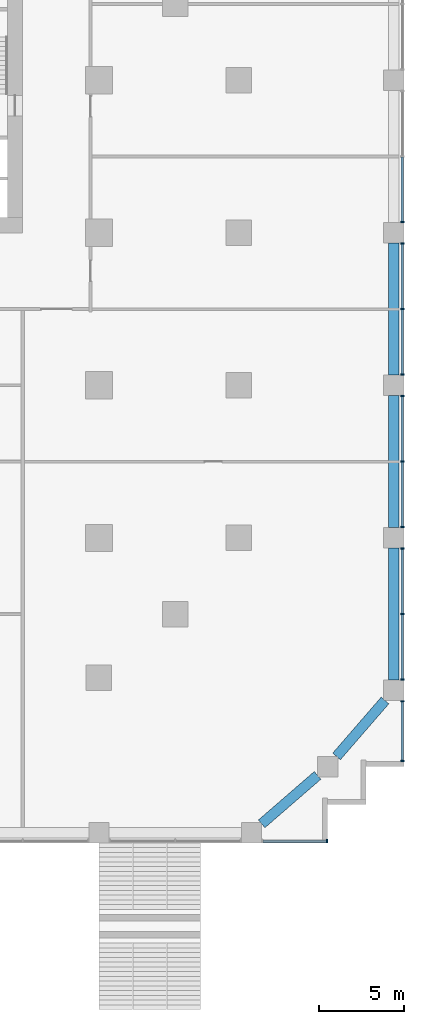
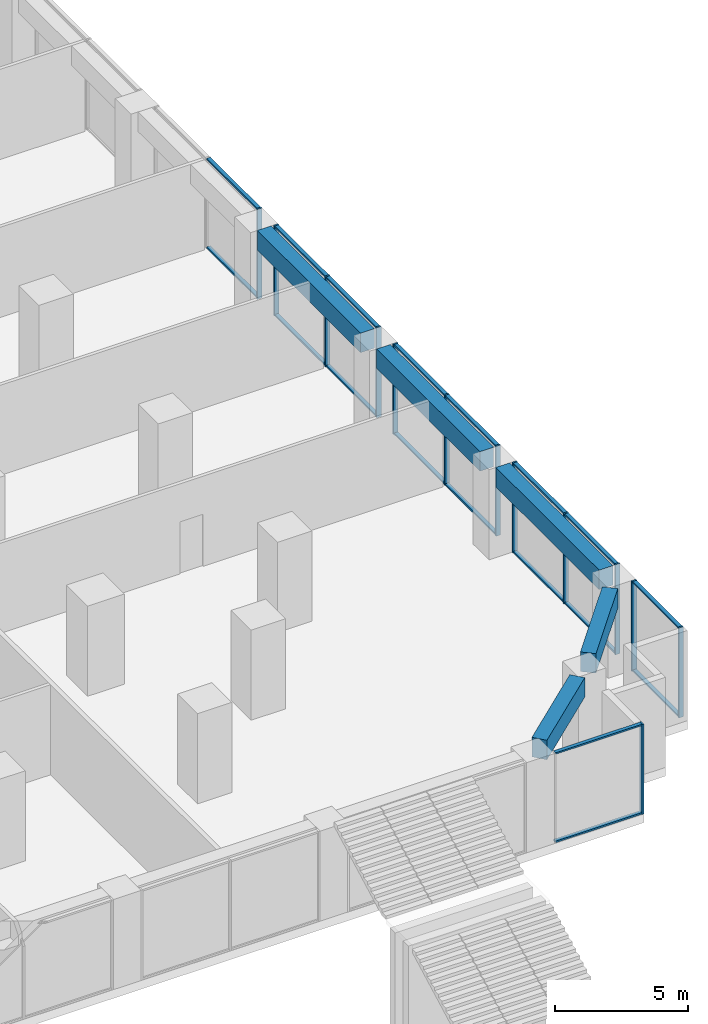
# One storey, part 6 of 18: 31 members, 5 beams, 6 elements without a shape of their own.
"""IFC4 building model written with IfcOpenShell, lengths in metres."""

from ifc_helpers import new_model, si_unit, direction, frame, origin, origin_2d, place, context, subcontext, project, spatial, rectangle, extrude, material, material_profile, profile_set, type_object, element, aggregate, save


model = new_model("IFC4")

# Units and contexts
model_context = context("Model", 3, precision=1e-05, world=origin(), true_north=direction((0.0, 1.0)))
body_context = subcontext(model_context, "Body", "Model", "MODEL_VIEW")
ifc_project = project(units=[si_unit("LENGTHUNIT", "METRE"), si_unit("AREAUNIT", "SQUARE_METRE"), si_unit("VOLUMEUNIT", "CUBIC_METRE"), si_unit("PLANEANGLEUNIT", "RADIAN"), si_unit("MASSUNIT", "GRAM", prefix="KILO")], contexts=[model_context])

# Site, building, storey
site_placement = place(None, origin())
site = spatial("IfcSite", under=ifc_project, at=site_placement, CompositionType="ELEMENT")
building_placement = place(site_placement, origin())
building = spatial("IfcBuilding", under=site, at=building_placement, Name="Orbiselva Terraces", CompositionType="ELEMENT")
storey_placement = place(building_placement, frame((0.0, 0.0, 6.0)))
storey = spatial("IfcBuildingStorey", under=building, at=storey_placement, Name="L01", CompositionType="ELEMENT", Elevation=6.0)

# Curtain wall, member
ifc_material_1 = material(Name="Clear low-e glazing in aluminium frame", Category="aluminium")
curtain_wall_type = type_object("IfcCurtainWallType", Name="ENV-CW-LOBBY", PredefinedType="NOTDEFINED", material=ifc_material_1)
curtain_wall_1_placement = place(storey_placement, origin())
curtain_wall_1 = element("IfcCurtainWall", 1, at=curtain_wall_1_placement, inside=storey, type_object=curtain_wall_type, Name="Curtain wall L01 S", PredefinedType="NOTDEFINED")
ifc_material_2 = material(Name="Anodised aluminium", Category="aluminium")
ifc_material_profile_1 = material_profile(ifc_material_2, rectangle(XDim=0.2, YDim=0.075, at=origin_2d()), Name="AL 75x200")
ifc_profile_set_1 = profile_set([ifc_material_profile_1], Name="Anodised aluminium")
member_type_1 = type_object("IfcMemberType", Name="ENV-CW-LOBBY-MULLION-75x200", PredefinedType="MULLION", material=ifc_profile_set_1)
member_1_placement = place(storey_placement, frame((31.4625, -31.4, 0.0), z_axis=(0.0, 0.0, 1.0), x_axis=(0.0, 1.0, 0.0)))
member_1 = element("IfcMember", 2, at=member_1_placement, type_object=member_type_1, Name="CW1 mullion 2", PredefinedType="MULLION", context=body_context, shape_type="SweptSolid", body=[
    extrude(rectangle(XDim=0.2, YDim=0.075, at=origin_2d()), origin(), (0.0, 0.0, 1.0), 4.15),
])

# Curtain wall, members
curtain_wall_2_placement = place(storey_placement, origin())
curtain_wall_2 = element("IfcCurtainWall", 3, at=curtain_wall_2_placement, inside=storey, type_object=curtain_wall_type, Name="Curtain wall L01 E", PredefinedType="NOTDEFINED")
member_2_placement = place(storey_placement, frame((35.9, -26.6625, 0.0), z_axis=(0.0, 0.0, 1.0), x_axis=(-1.0, 0.0, 0.0)))
member_2 = element("IfcMember", 4, at=member_2_placement, type_object=member_type_1, Name="CW1 mullion 1", PredefinedType="MULLION", context=body_context, shape_type="SweptSolid", body=[
    extrude(rectangle(XDim=0.2, YDim=0.075, at=origin_2d()), origin(), (0.0, 0.0, 1.0), 4.15),
])
member_3_placement = place(storey_placement, frame((35.9, -23.1375, 0.0), z_axis=(0.0, 0.0, 1.0), x_axis=(-1.0, 0.0, 0.0)))
member_3 = element("IfcMember", 5, at=member_3_placement, type_object=member_type_1, Name="CW1 mullion 2", PredefinedType="MULLION", context=body_context, shape_type="SweptSolid", body=[
    extrude(rectangle(XDim=0.2, YDim=0.075, at=origin_2d()), origin(), (0.0, 0.0, 1.0), 4.15),
])

curtain_wall_3_placement = place(storey_placement, origin())
curtain_wall_3 = element("IfcCurtainWall", 6, at=curtain_wall_3_placement, inside=storey, type_object=curtain_wall_type, Name="Curtain wall L01 E", PredefinedType="NOTDEFINED")
member_4_placement = place(storey_placement, frame((35.9, -21.8625, 0.0), z_axis=(0.0, 0.0, 1.0), x_axis=(-1.0, 0.0, 0.0)))
member_4 = element("IfcMember", 7, at=member_4_placement, type_object=member_type_1, Name="CW1 mullion 1", PredefinedType="MULLION", context=body_context, shape_type="SweptSolid", body=[
    extrude(rectangle(XDim=0.2, YDim=0.075, at=origin_2d()), origin(), (0.0, 0.0, 1.0), 4.15),
])
member_5_placement = place(storey_placement, frame((35.9, -18.0, 0.0), z_axis=(0.0, 0.0, 1.0), x_axis=(-1.0, 0.0, 0.0)))
member_5 = element("IfcMember", 8, at=member_5_placement, type_object=member_type_1, Name="CW1 mullion 2", PredefinedType="MULLION", context=body_context, shape_type="SweptSolid", body=[
    extrude(rectangle(XDim=0.2, YDim=0.075, at=origin_2d()), origin(), (0.0, 0.0, 1.0), 4.15),
])
member_6_placement = place(storey_placement, frame((35.9, -14.1375, 0.0), z_axis=(0.0, 0.0, 1.0), x_axis=(-1.0, 0.0, 0.0)))
member_6 = element("IfcMember", 9, at=member_6_placement, type_object=member_type_1, Name="CW1 mullion 3", PredefinedType="MULLION", context=body_context, shape_type="SweptSolid", body=[
    extrude(rectangle(XDim=0.2, YDim=0.075, at=origin_2d()), origin(), (0.0, 0.0, 1.0), 4.15),
])

curtain_wall_4_placement = place(storey_placement, origin())
curtain_wall_4 = element("IfcCurtainWall", 10, at=curtain_wall_4_placement, inside=storey, type_object=curtain_wall_type, Name="Curtain wall L01 E", PredefinedType="NOTDEFINED")
member_7_placement = place(storey_placement, frame((35.9, -12.8625, 0.0), z_axis=(0.0, 0.0, 1.0), x_axis=(-1.0, 0.0, 0.0)))
member_7 = element("IfcMember", 11, at=member_7_placement, type_object=member_type_1, Name="CW1 mullion 1", PredefinedType="MULLION", context=body_context, shape_type="SweptSolid", body=[
    extrude(rectangle(XDim=0.2, YDim=0.075, at=origin_2d()), origin(), (0.0, 0.0, 1.0), 4.15),
])
member_8_placement = place(storey_placement, frame((35.9, -9.0, 0.0), z_axis=(0.0, 0.0, 1.0), x_axis=(-1.0, 0.0, 0.0)))
member_8 = element("IfcMember", 12, at=member_8_placement, type_object=member_type_1, Name="CW1 mullion 2", PredefinedType="MULLION", context=body_context, shape_type="SweptSolid", body=[
    extrude(rectangle(XDim=0.2, YDim=0.075, at=origin_2d()), origin(), (0.0, 0.0, 1.0), 4.15),
])
member_9_placement = place(storey_placement, frame((35.9, -5.1375, 0.0), z_axis=(0.0, 0.0, 1.0), x_axis=(-1.0, 0.0, 0.0)))
member_9 = element("IfcMember", 13, at=member_9_placement, type_object=member_type_1, Name="CW1 mullion 3", PredefinedType="MULLION", context=body_context, shape_type="SweptSolid", body=[
    extrude(rectangle(XDim=0.2, YDim=0.075, at=origin_2d()), origin(), (0.0, 0.0, 1.0), 4.15),
])

curtain_wall_5_placement = place(storey_placement, origin())
curtain_wall_5 = element("IfcCurtainWall", 14, at=curtain_wall_5_placement, inside=storey, type_object=curtain_wall_type, Name="Curtain wall L01 E", PredefinedType="NOTDEFINED")
member_10_placement = place(storey_placement, frame((35.9, -3.8625, 0.0), z_axis=(0.0, 0.0, 1.0), x_axis=(-1.0, 0.0, 0.0)))
member_10 = element("IfcMember", 15, at=member_10_placement, type_object=member_type_1, Name="CW1 mullion 1", PredefinedType="MULLION", context=body_context, shape_type="SweptSolid", body=[
    extrude(rectangle(XDim=0.2, YDim=0.075, at=origin_2d()), origin(), (0.0, 0.0, 1.0), 4.15),
])
member_11_placement = place(storey_placement, frame((35.9, 0.0, 0.0), z_axis=(0.0, 0.0, 1.0), x_axis=(-1.0, 0.0, 0.0)))
member_11 = element("IfcMember", 16, at=member_11_placement, type_object=member_type_1, Name="CW1 mullion 2", PredefinedType="MULLION", context=body_context, shape_type="SweptSolid", body=[
    extrude(rectangle(XDim=0.2, YDim=0.075, at=origin_2d()), origin(), (0.0, 0.0, 1.0), 4.15),
])
member_12_placement = place(storey_placement, frame((35.9, 3.8625, 0.0), z_axis=(0.0, 0.0, 1.0), x_axis=(-1.0, 0.0, 0.0)))
member_12 = element("IfcMember", 17, at=member_12_placement, type_object=member_type_1, Name="CW1 mullion 3", PredefinedType="MULLION", context=body_context, shape_type="SweptSolid", body=[
    extrude(rectangle(XDim=0.2, YDim=0.075, at=origin_2d()), origin(), (0.0, 0.0, 1.0), 4.15),
])

# Curtain wall, member
curtain_wall_6_placement = place(storey_placement, origin())
curtain_wall_6 = element("IfcCurtainWall", 18, at=curtain_wall_6_placement, inside=storey, type_object=curtain_wall_type, Name="Curtain wall L01 E", PredefinedType="NOTDEFINED")
member_13_placement = place(storey_placement, frame((35.9, 5.1375, 0.0), z_axis=(0.0, 0.0, 1.0), x_axis=(-1.0, 0.0, 0.0)))
member_13 = element("IfcMember", 19, at=member_13_placement, type_object=member_type_1, Name="CW1 mullion 1", PredefinedType="MULLION", context=body_context, shape_type="SweptSolid", body=[
    extrude(rectangle(XDim=0.2, YDim=0.075, at=origin_2d()), origin(), (0.0, 0.0, 1.0), 4.15),
])

# Member
ifc_material_profile_2 = material_profile(ifc_material_2, rectangle(XDim=0.16, YDim=0.075, at=origin_2d()), Name="AL 75x160")
ifc_profile_set_2 = profile_set([ifc_material_profile_2], Name="Anodised aluminium")
member_type_2 = type_object("IfcMemberType", Name="ENV-CW-LOBBY-TRANSOM-75x160", PredefinedType="USERDEFINED", material=ifc_profile_set_2)
member_14_placement = place(storey_placement, frame((27.675, -31.4, 0.0375), z_axis=(1.0, 0.0, 0.0), x_axis=(0.0, 1.0, 0.0)))
member_14 = element("IfcMember", 20, at=member_14_placement, type_object=member_type_2, Name="CW1 transom 1.1", ObjectType="TRANSOM", PredefinedType="USERDEFINED", context=body_context, shape_type="SweptSolid", body=[
    extrude(rectangle(XDim=0.16, YDim=0.075, at=origin_2d()), origin(), (0.0, 0.0, 1.0), 3.75),
])

member_15_placement = place(storey_placement, frame((27.675, -31.4, 4.1125), z_axis=(1.0, 0.0, 0.0), x_axis=(0.0, 1.0, 0.0)))
member_15 = element("IfcMember", 21, at=member_15_placement, type_object=member_type_2, Name="CW1 transom 1.2", ObjectType="TRANSOM", PredefinedType="USERDEFINED", context=body_context, shape_type="SweptSolid", body=[
    extrude(rectangle(XDim=0.16, YDim=0.075, at=origin_2d()), origin(), (0.0, 0.0, 1.0), 3.75),
])

aggregate(curtain_wall_1, [member_1, member_14, member_15])

member_16_placement = place(storey_placement, frame((35.9, -26.625, 0.0375), z_axis=(0.0, 1.0, 0.0), x_axis=(-1.0, 0.0, 0.0)))
member_16 = element("IfcMember", 22, at=member_16_placement, type_object=member_type_2, Name="CW1 transom 1.1", ObjectType="TRANSOM", PredefinedType="USERDEFINED", context=body_context, shape_type="SweptSolid", body=[
    extrude(rectangle(XDim=0.16, YDim=0.075, at=origin_2d()), origin(), (0.0, 0.0, 1.0), 3.45),
])

member_17_placement = place(storey_placement, frame((35.9, -26.625, 4.1125), z_axis=(0.0, 1.0, 0.0), x_axis=(-1.0, 0.0, 0.0)))
member_17 = element("IfcMember", 23, at=member_17_placement, type_object=member_type_2, Name="CW1 transom 1.2", ObjectType="TRANSOM", PredefinedType="USERDEFINED", context=body_context, shape_type="SweptSolid", body=[
    extrude(rectangle(XDim=0.16, YDim=0.075, at=origin_2d()), origin(), (0.0, 0.0, 1.0), 3.45),
])

aggregate(curtain_wall_2, [member_2, member_3, member_16, member_17])

member_18_placement = place(storey_placement, frame((35.9, -21.825, 0.0375), z_axis=(0.0, 1.0, 0.0), x_axis=(-1.0, 0.0, 0.0)))
member_18 = element("IfcMember", 24, at=member_18_placement, type_object=member_type_2, Name="CW1 transom 1.1", ObjectType="TRANSOM", PredefinedType="USERDEFINED", context=body_context, shape_type="SweptSolid", body=[
    extrude(rectangle(XDim=0.16, YDim=0.075, at=origin_2d()), origin(), (0.0, 0.0, 1.0), 3.7875),
])

member_19_placement = place(storey_placement, frame((35.9, -21.825, 4.1125), z_axis=(0.0, 1.0, 0.0), x_axis=(-1.0, 0.0, 0.0)))
member_19 = element("IfcMember", 25, at=member_19_placement, type_object=member_type_2, Name="CW1 transom 1.2", ObjectType="TRANSOM", PredefinedType="USERDEFINED", context=body_context, shape_type="SweptSolid", body=[
    extrude(rectangle(XDim=0.16, YDim=0.075, at=origin_2d()), origin(), (0.0, 0.0, 1.0), 3.7875),
])

member_20_placement = place(storey_placement, frame((35.9, -17.9625, 0.0375), z_axis=(0.0, 1.0, 0.0), x_axis=(-1.0, 0.0, 0.0)))
member_20 = element("IfcMember", 26, at=member_20_placement, type_object=member_type_2, Name="CW1 transom 2.1", ObjectType="TRANSOM", PredefinedType="USERDEFINED", context=body_context, shape_type="SweptSolid", body=[
    extrude(rectangle(XDim=0.16, YDim=0.075, at=origin_2d()), origin(), (0.0, 0.0, 1.0), 3.7875),
])

member_21_placement = place(storey_placement, frame((35.9, -17.9625, 4.1125), z_axis=(0.0, 1.0, 0.0), x_axis=(-1.0, 0.0, 0.0)))
member_21 = element("IfcMember", 27, at=member_21_placement, type_object=member_type_2, Name="CW1 transom 2.2", ObjectType="TRANSOM", PredefinedType="USERDEFINED", context=body_context, shape_type="SweptSolid", body=[
    extrude(rectangle(XDim=0.16, YDim=0.075, at=origin_2d()), origin(), (0.0, 0.0, 1.0), 3.7875),
])

aggregate(curtain_wall_3, [member_4, member_5, member_6, member_18, member_19, member_20, member_21])

member_22_placement = place(storey_placement, frame((35.9, -12.825, 0.0375), z_axis=(0.0, 1.0, 0.0), x_axis=(-1.0, 0.0, 0.0)))
member_22 = element("IfcMember", 28, at=member_22_placement, type_object=member_type_2, Name="CW1 transom 1.1", ObjectType="TRANSOM", PredefinedType="USERDEFINED", context=body_context, shape_type="SweptSolid", body=[
    extrude(rectangle(XDim=0.16, YDim=0.075, at=origin_2d()), origin(), (0.0, 0.0, 1.0), 3.7875),
])

member_23_placement = place(storey_placement, frame((35.9, -12.825, 4.1125), z_axis=(0.0, 1.0, 0.0), x_axis=(-1.0, 0.0, 0.0)))
member_23 = element("IfcMember", 29, at=member_23_placement, type_object=member_type_2, Name="CW1 transom 1.2", ObjectType="TRANSOM", PredefinedType="USERDEFINED", context=body_context, shape_type="SweptSolid", body=[
    extrude(rectangle(XDim=0.16, YDim=0.075, at=origin_2d()), origin(), (0.0, 0.0, 1.0), 3.7875),
])

member_24_placement = place(storey_placement, frame((35.9, -8.9625, 0.0375), z_axis=(0.0, 1.0, 0.0), x_axis=(-1.0, 0.0, 0.0)))
member_24 = element("IfcMember", 30, at=member_24_placement, type_object=member_type_2, Name="CW1 transom 2.1", ObjectType="TRANSOM", PredefinedType="USERDEFINED", context=body_context, shape_type="SweptSolid", body=[
    extrude(rectangle(XDim=0.16, YDim=0.075, at=origin_2d()), origin(), (0.0, 0.0, 1.0), 3.7875),
])

member_25_placement = place(storey_placement, frame((35.9, -8.9625, 4.1125), z_axis=(0.0, 1.0, 0.0), x_axis=(-1.0, 0.0, 0.0)))
member_25 = element("IfcMember", 31, at=member_25_placement, type_object=member_type_2, Name="CW1 transom 2.2", ObjectType="TRANSOM", PredefinedType="USERDEFINED", context=body_context, shape_type="SweptSolid", body=[
    extrude(rectangle(XDim=0.16, YDim=0.075, at=origin_2d()), origin(), (0.0, 0.0, 1.0), 3.7875),
])

aggregate(curtain_wall_4, [member_7, member_8, member_9, member_22, member_23, member_24, member_25])

member_26_placement = place(storey_placement, frame((35.9, -3.825, 0.0375), z_axis=(0.0, 1.0, 0.0), x_axis=(-1.0, 0.0, 0.0)))
member_26 = element("IfcMember", 32, at=member_26_placement, type_object=member_type_2, Name="CW1 transom 1.1", ObjectType="TRANSOM", PredefinedType="USERDEFINED", context=body_context, shape_type="SweptSolid", body=[
    extrude(rectangle(XDim=0.16, YDim=0.075, at=origin_2d()), origin(), (0.0, 0.0, 1.0), 3.7875),
])

member_27_placement = place(storey_placement, frame((35.9, -3.825, 4.1125), z_axis=(0.0, 1.0, 0.0), x_axis=(-1.0, 0.0, 0.0)))
member_27 = element("IfcMember", 33, at=member_27_placement, type_object=member_type_2, Name="CW1 transom 1.2", ObjectType="TRANSOM", PredefinedType="USERDEFINED", context=body_context, shape_type="SweptSolid", body=[
    extrude(rectangle(XDim=0.16, YDim=0.075, at=origin_2d()), origin(), (0.0, 0.0, 1.0), 3.7875),
])

member_28_placement = place(storey_placement, frame((35.9, 0.0375, 0.0375), z_axis=(0.0, 1.0, 0.0), x_axis=(-1.0, 0.0, 0.0)))
member_28 = element("IfcMember", 34, at=member_28_placement, type_object=member_type_2, Name="CW1 transom 2.1", ObjectType="TRANSOM", PredefinedType="USERDEFINED", context=body_context, shape_type="SweptSolid", body=[
    extrude(rectangle(XDim=0.16, YDim=0.075, at=origin_2d()), origin(), (0.0, 0.0, 1.0), 3.7875),
])

member_29_placement = place(storey_placement, frame((35.9, 0.0375, 4.1125), z_axis=(0.0, 1.0, 0.0), x_axis=(-1.0, 0.0, 0.0)))
member_29 = element("IfcMember", 35, at=member_29_placement, type_object=member_type_2, Name="CW1 transom 2.2", ObjectType="TRANSOM", PredefinedType="USERDEFINED", context=body_context, shape_type="SweptSolid", body=[
    extrude(rectangle(XDim=0.16, YDim=0.075, at=origin_2d()), origin(), (0.0, 0.0, 1.0), 3.7875),
])

aggregate(curtain_wall_5, [member_10, member_11, member_12, member_26, member_27, member_28, member_29])

member_30_placement = place(storey_placement, frame((35.9, 5.175, 0.0375), z_axis=(0.0, 1.0, 0.0), x_axis=(-1.0, 0.0, 0.0)))
member_30 = element("IfcMember", 36, at=member_30_placement, type_object=member_type_2, Name="CW1 transom 1.1", ObjectType="TRANSOM", PredefinedType="USERDEFINED", context=body_context, shape_type="SweptSolid", body=[
    extrude(rectangle(XDim=0.16, YDim=0.075, at=origin_2d()), origin(), (0.0, 0.0, 1.0), 3.7875),
])

member_31_placement = place(storey_placement, frame((35.9, 5.175, 4.1125), z_axis=(0.0, 1.0, 0.0), x_axis=(-1.0, 0.0, 0.0)))
member_31 = element("IfcMember", 37, at=member_31_placement, type_object=member_type_2, Name="CW1 transom 1.2", ObjectType="TRANSOM", PredefinedType="USERDEFINED", context=body_context, shape_type="SweptSolid", body=[
    extrude(rectangle(XDim=0.16, YDim=0.075, at=origin_2d()), origin(), (0.0, 0.0, 1.0), 3.7875),
])

aggregate(curtain_wall_6, [member_13, member_30, member_31])

# Beams
ifc_material_3 = material(Name="Concrete C60/75", Category="concrete")
ifc_material_profile_3 = material_profile(ifc_material_3, rectangle(XDim=0.6, YDim=0.9, at=origin_2d()), Name="RC 600x900")
ifc_profile_set_3 = profile_set([ifc_material_profile_3], Name="Concrete C60/75")
beam_type = type_object("IfcBeamType", Name="PODIUM GIRDER RC 600x900", PredefinedType="BEAM", material=ifc_profile_set_3)
for number, where, z_axis, x_axis, name in (
    (38, (27.6, -30.38, 3.7), (0.75568908279, 0.654930538418, 0.0), (-0.654930538418, 0.75568908279, 0.0), "Podium girder 11"),
    (39, (32.02, -26.4, 3.7), (0.654930538418, 0.75568908279, 0.0), (-0.75568908279, 0.654930538418, 0.0), "Podium girder 12"),
):
    element("IfcBeam", number, at=place(storey_placement, frame(where, z_axis=z_axis, x_axis=x_axis)), inside=storey, type_object=beam_type, Name=name, PredefinedType="BEAM", context=body_context, shape_type="SweptSolid", body=[
        extrude(rectangle(XDim=0.6, YDim=0.9, at=origin_2d()), origin(), (0.0, 0.0, 1.0), 4.366875),
    ])
for number, where, z_axis, x_axis, name in (
    (40, (35.4, -21.9, 3.7), (0.0, 1.0, 0.0), (-1.0, 0.0, 0.0), "Podium girder 13"),
    (41, (35.4, -12.9, 3.7), (0.0, 1.0, 0.0), (-1.0, 0.0, 0.0), "Podium girder 14"),
    (42, (35.4, -3.9, 3.7), (0.0, 1.0, 0.0), (-1.0, 0.0, 0.0), "Podium girder 15"),
):
    element("IfcBeam", number, at=place(storey_placement, frame(where, z_axis=z_axis, x_axis=x_axis)), inside=storey, type_object=beam_type, Name=name, PredefinedType="BEAM", context=body_context, shape_type="SweptSolid", body=[
        extrude(rectangle(XDim=0.6, YDim=0.9, at=origin_2d()), origin(), (0.0, 0.0, 1.0), 7.8),
    ])

save(model, "model.ifc")
